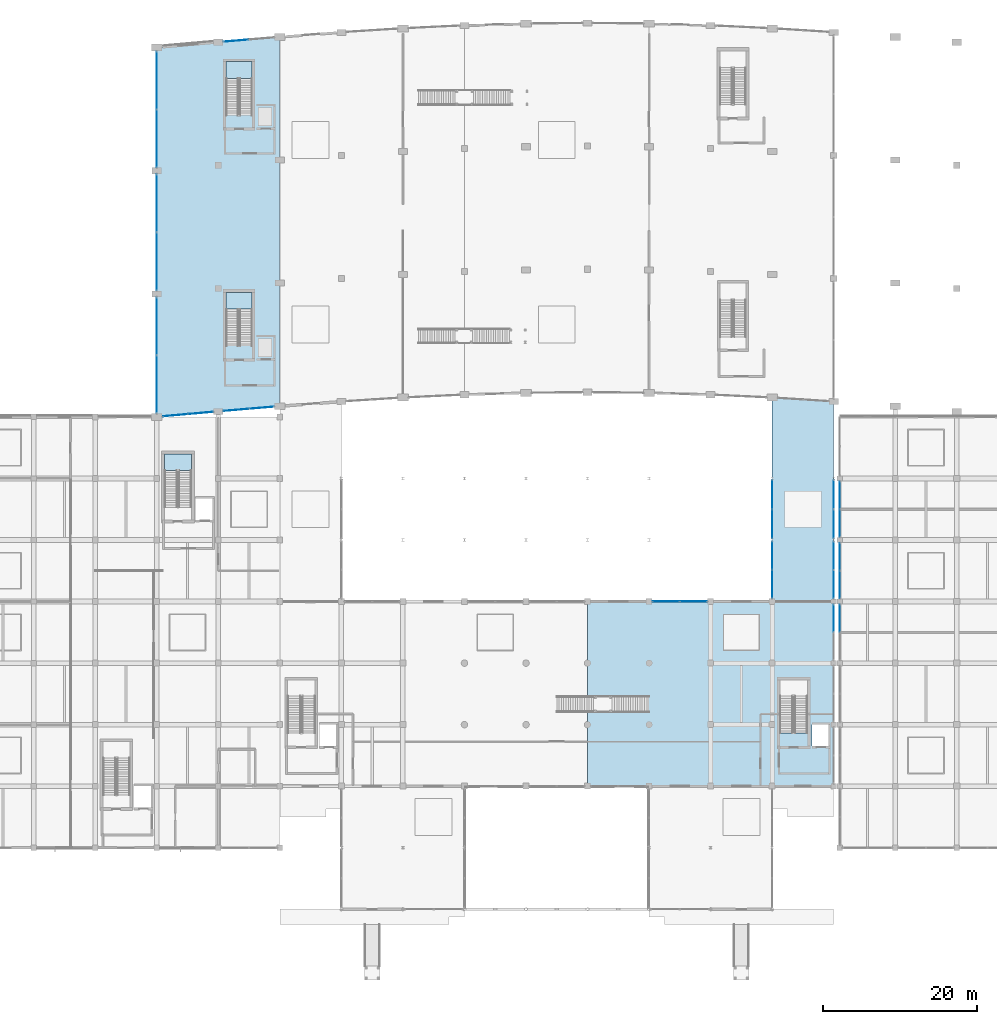
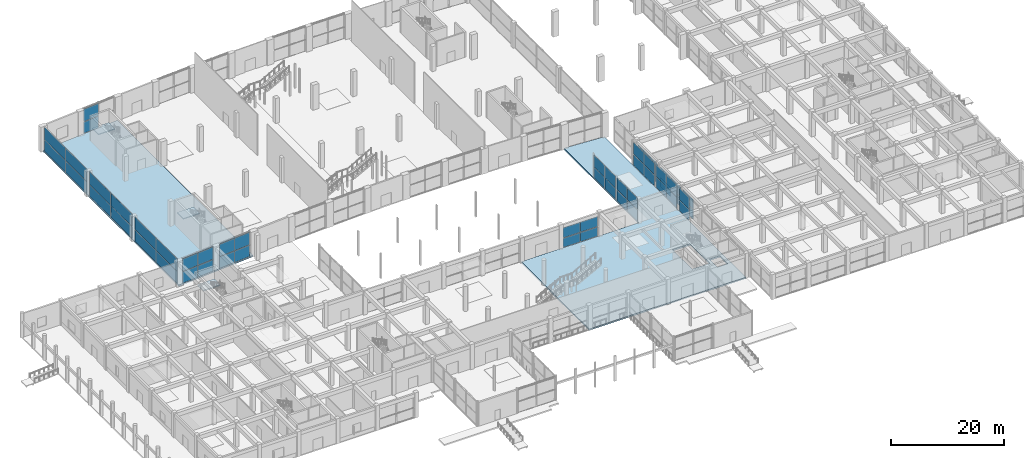
# One storey, part 50 of 86: 54 plates, 5 slabs, 18 elements without a shape of their own.
"""IFC4 building model written with IfcOpenShell, lengths in metres."""

from ifc_helpers import new_model, si_unit, direction, frame, origin, origin_2d, place, context, subcontext, project, spatial, polyline, rectangle, outline, extrude, material, layer, layer_set, type_object, element, aggregate, save


model = new_model("IFC4")

# Units and contexts
model_context = context("Model", 3, precision=1e-05, world=origin(), true_north=direction((0.0, 1.0)))
body_context = subcontext(model_context, "Body", "Model", "MODEL_VIEW")
ifc_project = project(units=[si_unit("LENGTHUNIT", "METRE"), si_unit("AREAUNIT", "SQUARE_METRE"), si_unit("VOLUMEUNIT", "CUBIC_METRE"), si_unit("PLANEANGLEUNIT", "RADIAN"), si_unit("MASSUNIT", "GRAM", prefix="KILO")], contexts=[model_context])

# Site, building, storey
site_placement = place(None, origin())
site = spatial("IfcSite", under=ifc_project, at=site_placement, CompositionType="ELEMENT")
building_placement = place(site_placement, origin())
building = spatial("IfcBuilding", under=site, at=building_placement, Name="Kenh Van Central Station", CompositionType="ELEMENT")
storey_placement = place(building_placement, origin())
storey = spatial("IfcBuildingStorey", under=building, at=storey_placement, Name="L00", CompositionType="ELEMENT", Elevation=0.0)

# Curtain wall, plates
ifc_material_1 = material(Name="Champagne anodised aluminium", Category="aluminium")
curtain_wall_type_1 = type_object("IfcCurtainWallType", Name="CW-CONC-B", PredefinedType="NOTDEFINED", material=ifc_material_1)
curtain_wall_1_placement = place(storey_placement, origin())
curtain_wall_1 = element("IfcCurtainWall", 1, at=curtain_wall_1_placement, inside=storey, type_object=curtain_wall_type_1, Name="L00 curtain wall 025", PredefinedType="NOTDEFINED")
ifc_material_2 = material(Name="Double-glazed low-E laminated solar glass", Category="glass")
ifc_layer_1 = layer(ifc_material_2, 0.028076171875, Name="Double-glazed low-E laminated solar glass")
ifc_layer_set_1 = layer_set([ifc_layer_1], Name="Double-glazed low-E laminated solar glass")
plate_type_1 = type_object("IfcPlateType", Name="CWP-IGU-28", PredefinedType="CURTAIN_PANEL", material=ifc_layer_set_1)
plate_1_placement = place(storey_placement, frame((101.779541015625, 40.0, 0.072021484375), z_axis=(0.0, 0.0, 1.0), x_axis=(-1.0, 0.0, 0.0)))
plate_1 = element("IfcPlate", 2, at=plate_1_placement, type_object=plate_type_1, Name="CW-04 panel 1.1", PredefinedType="CURTAIN_PANEL", context=body_context, shape_type="SweptSolid", body=[
    extrude(rectangle(XDim=3.47705078125, YDim=0.028076171875, at=origin_2d()), origin(), (0.0, 0.0, 1.0), 2.013671875),
])
plate_2_placement = place(storey_placement, frame((101.779541015625, 40.0, 2.157470703125), z_axis=(0.0, 0.0, 1.0), x_axis=(-1.0, 0.0, 0.0)))
plate_2 = element("IfcPlate", 3, at=plate_2_placement, type_object=plate_type_1, Name="CW-04 panel 1.2", PredefinedType="CURTAIN_PANEL", context=body_context, shape_type="SweptSolid", body=[
    extrude(rectangle(XDim=3.47705078125, YDim=0.028076171875, at=origin_2d()), origin(), (0.0, 0.0, 1.0), 2.1904296875),
])
plate_3_placement = place(storey_placement, frame((98.220458984375, 40.0, 0.072021484375), z_axis=(0.0, 0.0, 1.0), x_axis=(-1.0, 0.0, 0.0)))
plate_3 = element("IfcPlate", 4, at=plate_3_placement, type_object=plate_type_1, Name="CW-04 panel 2.1", PredefinedType="CURTAIN_PANEL", context=body_context, shape_type="SweptSolid", body=[
    extrude(rectangle(XDim=3.47705078125, YDim=0.028076171875, at=origin_2d()), origin(), (0.0, 0.0, 1.0), 2.013671875),
])
plate_4_placement = place(storey_placement, frame((98.220458984375, 40.0, 2.157470703125), z_axis=(0.0, 0.0, 1.0), x_axis=(-1.0, 0.0, 0.0)))
plate_4 = element("IfcPlate", 5, at=plate_4_placement, type_object=plate_type_1, Name="CW-04 panel 2.2", PredefinedType="CURTAIN_PANEL", context=body_context, shape_type="SweptSolid", body=[
    extrude(rectangle(XDim=3.47705078125, YDim=0.028076171875, at=origin_2d()), origin(), (0.0, 0.0, 1.0), 2.1904296875),
])
aggregate(curtain_wall_1, [plate_1, plate_2, plate_3, plate_4])

curtain_wall_2_placement = place(storey_placement, origin())
curtain_wall_2 = element("IfcCurtainWall", 6, at=curtain_wall_2_placement, inside=storey, type_object=curtain_wall_type_1, Name="L00 curtain wall 031", PredefinedType="NOTDEFINED")
plate_5_placement = place(storey_placement, frame((112.0, 53.904541015625, 0.07177734375), z_axis=(0.0, 0.0, 1.0), x_axis=(0.0, -1.0, 0.0)))
plate_5 = element("IfcPlate", 7, at=plate_5_placement, type_object=plate_type_1, Name="CW-04 panel 1.1", PredefinedType="CURTAIN_PANEL", context=body_context, shape_type="SweptSolid", body=[
    extrude(rectangle(XDim=3.72705078125, YDim=0.028076171875, at=origin_2d()), origin(), (0.0, 0.0, 1.0), 2.340087890625),
])
plate_6_placement = place(storey_placement, frame((112.0, 53.904541015625, 2.484130859375), z_axis=(0.0, 0.0, 1.0), x_axis=(0.0, -1.0, 0.0)))
plate_6 = element("IfcPlate", 8, at=plate_6_placement, type_object=plate_type_1, Name="CW-04 panel 1.2", PredefinedType="CURTAIN_PANEL", context=body_context, shape_type="SweptSolid", body=[
    extrude(rectangle(XDim=3.72705078125, YDim=0.028076171875, at=origin_2d()), origin(), (0.0, 0.0, 1.0), 2.5439453125),
])
plate_7_placement = place(storey_placement, frame((112.0, 50.095458984375, 0.07177734375), z_axis=(0.0, 0.0, 1.0), x_axis=(0.0, -1.0, 0.0)))
plate_7 = element("IfcPlate", 9, at=plate_7_placement, type_object=plate_type_1, Name="CW-04 panel 2.1", PredefinedType="CURTAIN_PANEL", context=body_context, shape_type="SweptSolid", body=[
    extrude(rectangle(XDim=3.72705078125, YDim=0.028076171875, at=origin_2d()), origin(), (0.0, 0.0, 1.0), 2.340087890625),
])
plate_8_placement = place(storey_placement, frame((112.0, 50.095458984375, 2.484130859375), z_axis=(0.0, 0.0, 1.0), x_axis=(0.0, -1.0, 0.0)))
plate_8 = element("IfcPlate", 10, at=plate_8_placement, type_object=plate_type_1, Name="CW-04 panel 2.2", PredefinedType="CURTAIN_PANEL", context=body_context, shape_type="SweptSolid", body=[
    extrude(rectangle(XDim=3.72705078125, YDim=0.028076171875, at=origin_2d()), origin(), (0.0, 0.0, 1.0), 2.5439453125),
])
aggregate(curtain_wall_2, [plate_5, plate_6, plate_7, plate_8])

curtain_wall_3_placement = place(storey_placement, origin())
curtain_wall_3 = element("IfcCurtainWall", 11, at=curtain_wall_3_placement, inside=storey, type_object=curtain_wall_type_1, Name="L00 curtain wall 032", PredefinedType="NOTDEFINED")
plate_9_placement = place(storey_placement, frame((112.0, 45.967041015625, 0.07177734375), z_axis=(0.0, 0.0, 1.0), x_axis=(0.0, -1.0, 0.0)))
plate_9 = element("IfcPlate", 12, at=plate_9_placement, type_object=plate_type_1, Name="CW-04 panel 1.1", PredefinedType="CURTAIN_PANEL", context=body_context, shape_type="SweptSolid", body=[
    extrude(rectangle(XDim=3.60205078125, YDim=0.028076171875, at=origin_2d()), origin(), (0.0, 0.0, 1.0), 2.340087890625),
])
plate_10_placement = place(storey_placement, frame((112.0, 45.967041015625, 2.484130859375), z_axis=(0.0, 0.0, 1.0), x_axis=(0.0, -1.0, 0.0)))
plate_10 = element("IfcPlate", 13, at=plate_10_placement, type_object=plate_type_1, Name="CW-04 panel 1.2", PredefinedType="CURTAIN_PANEL", context=body_context, shape_type="SweptSolid", body=[
    extrude(rectangle(XDim=3.60205078125, YDim=0.028076171875, at=origin_2d()), origin(), (0.0, 0.0, 1.0), 2.5439453125),
])
plate_11_placement = place(storey_placement, frame((112.0, 42.282958984375, 0.07177734375), z_axis=(0.0, 0.0, 1.0), x_axis=(0.0, -1.0, 0.0)))
plate_11 = element("IfcPlate", 14, at=plate_11_placement, type_object=plate_type_1, Name="CW-04 panel 2.1", PredefinedType="CURTAIN_PANEL", context=body_context, shape_type="SweptSolid", body=[
    extrude(rectangle(XDim=3.60205078125, YDim=0.028076171875, at=origin_2d()), origin(), (0.0, 0.0, 1.0), 2.340087890625),
])
plate_12_placement = place(storey_placement, frame((112.0, 42.282958984375, 2.484130859375), z_axis=(0.0, 0.0, 1.0), x_axis=(0.0, -1.0, 0.0)))
plate_12 = element("IfcPlate", 15, at=plate_12_placement, type_object=plate_type_1, Name="CW-04 panel 2.2", PredefinedType="CURTAIN_PANEL", context=body_context, shape_type="SweptSolid", body=[
    extrude(rectangle(XDim=3.60205078125, YDim=0.028076171875, at=origin_2d()), origin(), (0.0, 0.0, 1.0), 2.5439453125),
])
aggregate(curtain_wall_3, [plate_9, plate_10, plate_11, plate_12])

curtain_wall_4_placement = place(storey_placement, origin())
curtain_wall_4 = element("IfcCurtainWall", 16, at=curtain_wall_4_placement, inside=storey, type_object=curtain_wall_type_1, Name="L00 curtain wall 035", PredefinedType="NOTDEFINED")
plate_13_placement = place(storey_placement, frame((120.0, 37.804443359375, 0.07177734375), z_axis=(0.0, 0.0, 1.0), x_axis=(0.0, 1.0, 0.0)))
plate_13 = element("IfcPlate", 17, at=plate_13_placement, type_object=plate_type_1, Name="CW-04 panel 2.1", PredefinedType="CURTAIN_PANEL", context=body_context, shape_type="SweptSolid", body=[
    extrude(rectangle(XDim=3.527099609375, YDim=0.028076171875, at=origin_2d()), origin(), (0.0, 0.0, 1.0), 2.340087890625),
])
plate_14_placement = place(storey_placement, frame((120.0, 37.804443359375, 2.484130859375), z_axis=(0.0, 0.0, 1.0), x_axis=(0.0, 1.0, 0.0)))
plate_14 = element("IfcPlate", 18, at=plate_14_placement, type_object=plate_type_1, Name="CW-04 panel 2.2", PredefinedType="CURTAIN_PANEL", context=body_context, shape_type="SweptSolid", body=[
    extrude(rectangle(XDim=3.527099609375, YDim=0.028076171875, at=origin_2d()), origin(), (0.0, 0.0, 1.0), 2.5439453125),
])
aggregate(curtain_wall_4, [plate_13, plate_14])

curtain_wall_5_placement = place(storey_placement, origin())
curtain_wall_5 = element("IfcCurtainWall", 19, at=curtain_wall_5_placement, inside=storey, type_object=curtain_wall_type_1, Name="L00 curtain wall 036", PredefinedType="NOTDEFINED")
plate_15_placement = place(storey_placement, frame((120.0, 42.24560546875, 0.07177734375), z_axis=(0.0, 0.0, 1.0), x_axis=(0.0, 1.0, 0.0)))
plate_15 = element("IfcPlate", 20, at=plate_15_placement, type_object=plate_type_1, Name="CW-04 panel 1.1", PredefinedType="CURTAIN_PANEL", context=body_context, shape_type="SweptSolid", body=[
    extrude(rectangle(XDim=3.626953125, YDim=0.028076171875, at=origin_2d()), origin(), (0.0, 0.0, 1.0), 2.340087890625),
])
plate_16_placement = place(storey_placement, frame((120.0, 42.24560546875, 2.484130859375), z_axis=(0.0, 0.0, 1.0), x_axis=(0.0, 1.0, 0.0)))
plate_16 = element("IfcPlate", 21, at=plate_16_placement, type_object=plate_type_1, Name="CW-04 panel 1.2", PredefinedType="CURTAIN_PANEL", context=body_context, shape_type="SweptSolid", body=[
    extrude(rectangle(XDim=3.626953125, YDim=0.028076171875, at=origin_2d()), origin(), (0.0, 0.0, 1.0), 2.5439453125),
])
plate_17_placement = place(storey_placement, frame((120.0, 45.95458984375, 0.07177734375), z_axis=(0.0, 0.0, 1.0), x_axis=(0.0, 1.0, 0.0)))
plate_17 = element("IfcPlate", 22, at=plate_17_placement, type_object=plate_type_1, Name="CW-04 panel 2.1", PredefinedType="CURTAIN_PANEL", context=body_context, shape_type="SweptSolid", body=[
    extrude(rectangle(XDim=3.626953125, YDim=0.028076171875, at=origin_2d()), origin(), (0.0, 0.0, 1.0), 2.340087890625),
])
plate_18_placement = place(storey_placement, frame((120.0, 45.95458984375, 2.484130859375), z_axis=(0.0, 0.0, 1.0), x_axis=(0.0, 1.0, 0.0)))
plate_18 = element("IfcPlate", 23, at=plate_18_placement, type_object=plate_type_1, Name="CW-04 panel 2.2", PredefinedType="CURTAIN_PANEL", context=body_context, shape_type="SweptSolid", body=[
    extrude(rectangle(XDim=3.626953125, YDim=0.028076171875, at=origin_2d()), origin(), (0.0, 0.0, 1.0), 2.5439453125),
])
aggregate(curtain_wall_5, [plate_15, plate_16, plate_17, plate_18])

curtain_wall_6_placement = place(storey_placement, origin())
curtain_wall_6 = element("IfcCurtainWall", 24, at=curtain_wall_6_placement, inside=storey, type_object=curtain_wall_type_1, Name="L00 curtain wall 037", PredefinedType="NOTDEFINED")
plate_19_placement = place(storey_placement, frame((120.0, 50.095458984375, 0.07177734375), z_axis=(0.0, 0.0, 1.0), x_axis=(0.0, 1.0, 0.0)))
plate_19 = element("IfcPlate", 25, at=plate_19_placement, type_object=plate_type_1, Name="CW-04 panel 1.1", PredefinedType="CURTAIN_PANEL", context=body_context, shape_type="SweptSolid", body=[
    extrude(rectangle(XDim=3.72705078125, YDim=0.028076171875, at=origin_2d()), origin(), (0.0, 0.0, 1.0), 2.340087890625),
])
plate_20_placement = place(storey_placement, frame((120.0, 50.095458984375, 2.484130859375), z_axis=(0.0, 0.0, 1.0), x_axis=(0.0, 1.0, 0.0)))
plate_20 = element("IfcPlate", 26, at=plate_20_placement, type_object=plate_type_1, Name="CW-04 panel 1.2", PredefinedType="CURTAIN_PANEL", context=body_context, shape_type="SweptSolid", body=[
    extrude(rectangle(XDim=3.72705078125, YDim=0.028076171875, at=origin_2d()), origin(), (0.0, 0.0, 1.0), 2.5439453125),
])
plate_21_placement = place(storey_placement, frame((120.0, 53.904541015625, 0.07177734375), z_axis=(0.0, 0.0, 1.0), x_axis=(0.0, 1.0, 0.0)))
plate_21 = element("IfcPlate", 27, at=plate_21_placement, type_object=plate_type_1, Name="CW-04 panel 2.1", PredefinedType="CURTAIN_PANEL", context=body_context, shape_type="SweptSolid", body=[
    extrude(rectangle(XDim=3.72705078125, YDim=0.028076171875, at=origin_2d()), origin(), (0.0, 0.0, 1.0), 2.340087890625),
])
plate_22_placement = place(storey_placement, frame((120.0, 53.904541015625, 2.484130859375), z_axis=(0.0, 0.0, 1.0), x_axis=(0.0, 1.0, 0.0)))
plate_22 = element("IfcPlate", 28, at=plate_22_placement, type_object=plate_type_1, Name="CW-04 panel 2.2", PredefinedType="CURTAIN_PANEL", context=body_context, shape_type="SweptSolid", body=[
    extrude(rectangle(XDim=3.72705078125, YDim=0.028076171875, at=origin_2d()), origin(), (0.0, 0.0, 1.0), 2.5439453125),
])
aggregate(curtain_wall_6, [plate_19, plate_20, plate_21, plate_22])

curtain_wall_type_2 = type_object("IfcCurtainWallType", Name="CW-OPER-B", PredefinedType="NOTDEFINED", material=ifc_material_1)
curtain_wall_7_placement = place(storey_placement, origin())
curtain_wall_7 = element("IfcCurtainWall", 29, at=curtain_wall_7_placement, inside=storey, type_object=curtain_wall_type_2, Name="L00 curtain wall 070", PredefinedType="NOTDEFINED")
ifc_layer_2 = layer(ifc_material_2, 0.030029296875, Name="Double-glazed low-E laminated solar glass")
ifc_layer_set_2 = layer_set([ifc_layer_2], Name="Double-glazed low-E laminated solar glass")
plate_type_2 = type_object("IfcPlateType", Name="CWP-IGU-30", PredefinedType="CURTAIN_PANEL", material=ifc_layer_set_2)
plate_23_placement = place(storey_placement, frame((120.800048828125, 53.802978515625, 0.072021484375), z_axis=(0.0, 0.0, 1.0), x_axis=(0.0, -1.0, 0.0)))
plate_23 = element("IfcPlate", 30, at=plate_23_placement, type_object=plate_type_2, Name="CW-08 panel 1.1", PredefinedType="CURTAIN_PANEL", context=body_context, shape_type="SweptSolid", body=[
    extrude(rectangle(XDim=3.51806640625, YDim=0.030029296875, at=origin_2d()), origin(), (0.0, 0.0, 1.0), 2.013671875),
])
plate_24_placement = place(storey_placement, frame((120.800048828125, 53.802978515625, 2.157470703125), z_axis=(0.0, 0.0, 1.0), x_axis=(0.0, -1.0, 0.0)))
plate_24 = element("IfcPlate", 31, at=plate_24_placement, type_object=plate_type_2, Name="CW-08 panel 1.2", PredefinedType="CURTAIN_PANEL", context=body_context, shape_type="SweptSolid", body=[
    extrude(rectangle(XDim=3.51806640625, YDim=0.030029296875, at=origin_2d()), origin(), (0.0, 0.0, 1.0), 2.1904296875),
])
plate_25_placement = place(storey_placement, frame((120.800048828125, 50.197021484375, 0.072021484375), z_axis=(0.0, 0.0, 1.0), x_axis=(0.0, -1.0, 0.0)))
plate_25 = element("IfcPlate", 32, at=plate_25_placement, type_object=plate_type_2, Name="CW-08 panel 2.1", PredefinedType="CURTAIN_PANEL", context=body_context, shape_type="SweptSolid", body=[
    extrude(rectangle(XDim=3.51806640625, YDim=0.030029296875, at=origin_2d()), origin(), (0.0, 0.0, 1.0), 2.013671875),
])
plate_26_placement = place(storey_placement, frame((120.800048828125, 50.197021484375, 2.157470703125), z_axis=(0.0, 0.0, 1.0), x_axis=(0.0, -1.0, 0.0)))
plate_26 = element("IfcPlate", 33, at=plate_26_placement, type_object=plate_type_2, Name="CW-08 panel 2.2", PredefinedType="CURTAIN_PANEL", context=body_context, shape_type="SweptSolid", body=[
    extrude(rectangle(XDim=3.51806640625, YDim=0.030029296875, at=origin_2d()), origin(), (0.0, 0.0, 1.0), 2.1904296875),
])
aggregate(curtain_wall_7, [plate_23, plate_24, plate_25, plate_26])

curtain_wall_8_placement = place(storey_placement, origin())
curtain_wall_8 = element("IfcCurtainWall", 34, at=curtain_wall_8_placement, inside=storey, type_object=curtain_wall_type_2, Name="L00 curtain wall 071", PredefinedType="NOTDEFINED")
plate_27_placement = place(storey_placement, frame((120.800048828125, 45.802978515625, 0.072021484375), z_axis=(0.0, 0.0, 1.0), x_axis=(0.0, -1.0, 0.0)))
plate_27 = element("IfcPlate", 35, at=plate_27_placement, type_object=plate_type_2, Name="CW-08 panel 1.1", PredefinedType="CURTAIN_PANEL", context=body_context, shape_type="SweptSolid", body=[
    extrude(rectangle(XDim=3.51806640625, YDim=0.030029296875, at=origin_2d()), origin(), (0.0, 0.0, 1.0), 2.013671875),
])
plate_28_placement = place(storey_placement, frame((120.800048828125, 45.802978515625, 2.157470703125), z_axis=(0.0, 0.0, 1.0), x_axis=(0.0, -1.0, 0.0)))
plate_28 = element("IfcPlate", 36, at=plate_28_placement, type_object=plate_type_2, Name="CW-08 panel 1.2", PredefinedType="CURTAIN_PANEL", context=body_context, shape_type="SweptSolid", body=[
    extrude(rectangle(XDim=3.51806640625, YDim=0.030029296875, at=origin_2d()), origin(), (0.0, 0.0, 1.0), 2.1904296875),
])
plate_29_placement = place(storey_placement, frame((120.800048828125, 42.197021484375, 0.072021484375), z_axis=(0.0, 0.0, 1.0), x_axis=(0.0, -1.0, 0.0)))
plate_29 = element("IfcPlate", 37, at=plate_29_placement, type_object=plate_type_2, Name="CW-08 panel 2.1", PredefinedType="CURTAIN_PANEL", context=body_context, shape_type="SweptSolid", body=[
    extrude(rectangle(XDim=3.51806640625, YDim=0.030029296875, at=origin_2d()), origin(), (0.0, 0.0, 1.0), 2.013671875),
])
plate_30_placement = place(storey_placement, frame((120.800048828125, 42.197021484375, 2.157470703125), z_axis=(0.0, 0.0, 1.0), x_axis=(0.0, -1.0, 0.0)))
plate_30 = element("IfcPlate", 38, at=plate_30_placement, type_object=plate_type_2, Name="CW-08 panel 2.2", PredefinedType="CURTAIN_PANEL", context=body_context, shape_type="SweptSolid", body=[
    extrude(rectangle(XDim=3.51806640625, YDim=0.030029296875, at=origin_2d()), origin(), (0.0, 0.0, 1.0), 2.1904296875),
])
aggregate(curtain_wall_8, [plate_27, plate_28, plate_29, plate_30])

curtain_wall_9_placement = place(storey_placement, origin())
curtain_wall_9 = element("IfcCurtainWall", 39, at=curtain_wall_9_placement, inside=storey, type_object=curtain_wall_type_2, Name="L00 curtain wall 072", PredefinedType="NOTDEFINED")
plate_31_placement = place(storey_placement, frame((120.800048828125, 37.802978515625, 0.072021484375), z_axis=(0.0, 0.0, 1.0), x_axis=(0.0, -1.0, 0.0)))
plate_31 = element("IfcPlate", 40, at=plate_31_placement, type_object=plate_type_2, Name="CW-08 panel 1.1", PredefinedType="CURTAIN_PANEL", context=body_context, shape_type="SweptSolid", body=[
    extrude(rectangle(XDim=3.51806640625, YDim=0.030029296875, at=origin_2d()), origin(), (0.0, 0.0, 1.0), 2.013671875),
])
plate_32_placement = place(storey_placement, frame((120.800048828125, 37.802978515625, 2.157470703125), z_axis=(0.0, 0.0, 1.0), x_axis=(0.0, -1.0, 0.0)))
plate_32 = element("IfcPlate", 41, at=plate_32_placement, type_object=plate_type_2, Name="CW-08 panel 1.2", PredefinedType="CURTAIN_PANEL", context=body_context, shape_type="SweptSolid", body=[
    extrude(rectangle(XDim=3.51806640625, YDim=0.030029296875, at=origin_2d()), origin(), (0.0, 0.0, 1.0), 2.1904296875),
])
aggregate(curtain_wall_9, [plate_31, plate_32])

curtain_wall_type_3 = type_object("IfcCurtainWallType", Name="CW-HALL-A", PredefinedType="NOTDEFINED", material=ifc_material_1)
curtain_wall_10_placement = place(storey_placement, origin())
curtain_wall_10 = element("IfcCurtainWall", 42, at=curtain_wall_10_placement, inside=storey, type_object=curtain_wall_type_3, Name="L00 curtain wall 016", PredefinedType="NOTDEFINED")
ifc_layer_3 = layer(ifc_material_2, 0.031982421875, Name="Double-glazed low-E laminated solar glass")
ifc_layer_set_3 = layer_set([ifc_layer_3], Name="Double-glazed low-E laminated solar glass")
plate_type_3 = type_object("IfcPlateType", Name="CWP-IGU-32", PredefinedType="CURTAIN_PANEL", material=ifc_layer_set_3)
plate_33_placement = place(storey_placement, frame((32.0, 68.258056640625, 0.06982421875), z_axis=(0.0, 0.0, 1.0), x_axis=(0.0, 1.0, 0.0)))
plate_33 = element("IfcPlate", 43, at=plate_33_placement, type_object=plate_type_3, Name="CW-01 panel 1.1", PredefinedType="CURTAIN_PANEL", context=body_context, shape_type="SweptSolid", body=[
    extrude(rectangle(XDim=7.451904296875, YDim=0.031982421875, at=origin_2d()), origin(), (0.0, 0.0, 1.0), 2.487060546875),
])
plate_34_placement = place(storey_placement, frame((32.0, 68.258056640625, 2.626953125), z_axis=(0.0, 0.0, 1.0), x_axis=(0.0, 1.0, 0.0)))
plate_34 = element("IfcPlate", 44, at=plate_34_placement, type_object=plate_type_3, Name="CW-01 panel 1.2", PredefinedType="CURTAIN_PANEL", context=body_context, shape_type="SweptSolid", body=[
    extrude(rectangle(XDim=7.451904296875, YDim=0.031982421875, at=origin_2d()), origin(), (0.0, 0.0, 1.0), 2.702880859375),
])
plate_35_placement = place(storey_placement, frame((32.0, 75.7919921875, 0.06982421875), z_axis=(0.0, 0.0, 1.0), x_axis=(0.0, 1.0, 0.0)))
plate_35 = element("IfcPlate", 45, at=plate_35_placement, type_object=plate_type_3, Name="CW-01 panel 2.1", PredefinedType="CURTAIN_PANEL", context=body_context, shape_type="SweptSolid", body=[
    extrude(rectangle(XDim=7.451904296875, YDim=0.031982421875, at=origin_2d()), origin(), (0.0, 0.0, 1.0), 2.487060546875),
])
plate_36_placement = place(storey_placement, frame((32.0, 75.7919921875, 2.626953125), z_axis=(0.0, 0.0, 1.0), x_axis=(0.0, 1.0, 0.0)))
plate_36 = element("IfcPlate", 46, at=plate_36_placement, type_object=plate_type_3, Name="CW-01 panel 2.2", PredefinedType="CURTAIN_PANEL", context=body_context, shape_type="SweptSolid", body=[
    extrude(rectangle(XDim=7.451904296875, YDim=0.031982421875, at=origin_2d()), origin(), (0.0, 0.0, 1.0), 2.702880859375),
])
aggregate(curtain_wall_10, [plate_33, plate_34, plate_35, plate_36])

curtain_wall_11_placement = place(storey_placement, origin())
curtain_wall_11 = element("IfcCurtainWall", 47, at=curtain_wall_11_placement, inside=storey, type_object=curtain_wall_type_3, Name="L00 curtain wall 017", PredefinedType="NOTDEFINED")
plate_37_placement = place(storey_placement, frame((32.0, 84.220458984375, 0.06982421875), z_axis=(0.0, 0.0, 1.0), x_axis=(0.0, 1.0, 0.0)))
plate_37 = element("IfcPlate", 48, at=plate_37_placement, type_object=plate_type_3, Name="CW-01 panel 1.1", PredefinedType="CURTAIN_PANEL", context=body_context, shape_type="SweptSolid", body=[
    extrude(rectangle(XDim=7.47705078125, YDim=0.031982421875, at=origin_2d()), origin(), (0.0, 0.0, 1.0), 2.487060546875),
])
plate_38_placement = place(storey_placement, frame((32.0, 84.220458984375, 2.626953125), z_axis=(0.0, 0.0, 1.0), x_axis=(0.0, 1.0, 0.0)))
plate_38 = element("IfcPlate", 49, at=plate_38_placement, type_object=plate_type_3, Name="CW-01 panel 1.2", PredefinedType="CURTAIN_PANEL", context=body_context, shape_type="SweptSolid", body=[
    extrude(rectangle(XDim=7.47705078125, YDim=0.031982421875, at=origin_2d()), origin(), (0.0, 0.0, 1.0), 2.702880859375),
])
plate_39_placement = place(storey_placement, frame((32.0, 91.779541015625, 0.06982421875), z_axis=(0.0, 0.0, 1.0), x_axis=(0.0, 1.0, 0.0)))
plate_39 = element("IfcPlate", 50, at=plate_39_placement, type_object=plate_type_3, Name="CW-01 panel 2.1", PredefinedType="CURTAIN_PANEL", context=body_context, shape_type="SweptSolid", body=[
    extrude(rectangle(XDim=7.47705078125, YDim=0.031982421875, at=origin_2d()), origin(), (0.0, 0.0, 1.0), 2.487060546875),
])
plate_40_placement = place(storey_placement, frame((32.0, 91.779541015625, 2.626953125), z_axis=(0.0, 0.0, 1.0), x_axis=(0.0, 1.0, 0.0)))
plate_40 = element("IfcPlate", 51, at=plate_40_placement, type_object=plate_type_3, Name="CW-01 panel 2.2", PredefinedType="CURTAIN_PANEL", context=body_context, shape_type="SweptSolid", body=[
    extrude(rectangle(XDim=7.47705078125, YDim=0.031982421875, at=origin_2d()), origin(), (0.0, 0.0, 1.0), 2.702880859375),
])
aggregate(curtain_wall_11, [plate_37, plate_38, plate_39, plate_40])

curtain_wall_12_placement = place(storey_placement, origin())
curtain_wall_12 = element("IfcCurtainWall", 52, at=curtain_wall_12_placement, inside=storey, type_object=curtain_wall_type_3, Name="L00 curtain wall 018", PredefinedType="NOTDEFINED")
plate_41_placement = place(storey_placement, frame((32.0, 100.2080078125, 0.06982421875), z_axis=(0.0, 0.0, 1.0), x_axis=(0.0, 1.0, 0.0)))
plate_41 = element("IfcPlate", 53, at=plate_41_placement, type_object=plate_type_3, Name="CW-01 panel 1.1", PredefinedType="CURTAIN_PANEL", context=body_context, shape_type="SweptSolid", body=[
    extrude(rectangle(XDim=7.451904296875, YDim=0.031982421875, at=origin_2d()), origin(), (0.0, 0.0, 1.0), 2.487060546875),
])
plate_42_placement = place(storey_placement, frame((32.0, 100.2080078125, 2.626953125), z_axis=(0.0, 0.0, 1.0), x_axis=(0.0, 1.0, 0.0)))
plate_42 = element("IfcPlate", 54, at=plate_42_placement, type_object=plate_type_3, Name="CW-01 panel 1.2", PredefinedType="CURTAIN_PANEL", context=body_context, shape_type="SweptSolid", body=[
    extrude(rectangle(XDim=7.451904296875, YDim=0.031982421875, at=origin_2d()), origin(), (0.0, 0.0, 1.0), 2.702880859375),
])
plate_43_placement = place(storey_placement, frame((32.0, 107.741943359375, 0.06982421875), z_axis=(0.0, 0.0, 1.0), x_axis=(0.0, 1.0, 0.0)))
plate_43 = element("IfcPlate", 55, at=plate_43_placement, type_object=plate_type_3, Name="CW-01 panel 2.1", PredefinedType="CURTAIN_PANEL", context=body_context, shape_type="SweptSolid", body=[
    extrude(rectangle(XDim=7.451904296875, YDim=0.031982421875, at=origin_2d()), origin(), (0.0, 0.0, 1.0), 2.487060546875),
])
plate_44_placement = place(storey_placement, frame((32.0, 107.741943359375, 2.626953125), z_axis=(0.0, 0.0, 1.0), x_axis=(0.0, 1.0, 0.0)))
plate_44 = element("IfcPlate", 56, at=plate_44_placement, type_object=plate_type_3, Name="CW-01 panel 2.2", PredefinedType="CURTAIN_PANEL", context=body_context, shape_type="SweptSolid", body=[
    extrude(rectangle(XDim=7.451904296875, YDim=0.031982421875, at=origin_2d()), origin(), (0.0, 0.0, 1.0), 2.702880859375),
])
aggregate(curtain_wall_12, [plate_41, plate_42, plate_43, plate_44])

curtain_wall_type_4 = type_object("IfcCurtainWallType", Name="CW-HALL-B", PredefinedType="NOTDEFINED", material=ifc_material_1)
curtain_wall_13_placement = place(storey_placement, origin())
curtain_wall_13 = element("IfcCurtainWall", 57, at=curtain_wall_13_placement, inside=storey, type_object=curtain_wall_type_4, Name="L00 curtain wall 003", PredefinedType="NOTDEFINED")
ifc_layer_4 = layer(ifc_material_2, 0.033935546875, Name="Double-glazed low-E laminated solar glass")
ifc_layer_set_4 = layer_set([ifc_layer_4], Name="Double-glazed low-E laminated solar glass")
plate_type_4 = type_object("IfcPlateType", Name="CWP-IGU-34", PredefinedType="CURTAIN_PANEL", material=ifc_layer_set_4)
plate_45_placement = place(storey_placement, frame((42.30859375, 112.9072265625, 0.06982421875), z_axis=(0.0, 0.0, 1.0), x_axis=(-0.996445133341, -0.084244265333, 0.0)))
plate_45 = element("IfcPlate", 58, at=plate_45_placement, type_object=plate_type_4, Name="CW-02 panel 2.1", PredefinedType="CURTAIN_PANEL", context=body_context, shape_type="SweptSolid", body=[
    extrude(rectangle(XDim=3.210693359375, YDim=0.033935546875, at=origin_2d()), origin(), (0.0, 0.0, 1.0), 2.487060546875),
])
plate_46_placement = place(storey_placement, frame((42.30859375, 112.9072265625, 2.626953125), z_axis=(0.0, 0.0, 1.0), x_axis=(-0.996445133341, -0.084244265333, 0.0)))
plate_46 = element("IfcPlate", 59, at=plate_46_placement, type_object=plate_type_4, Name="CW-02 panel 2.2", PredefinedType="CURTAIN_PANEL", context=body_context, shape_type="SweptSolid", body=[
    extrude(rectangle(XDim=3.210693359375, YDim=0.033935546875, at=origin_2d()), origin(), (0.0, 0.0, 1.0), 2.702880859375),
])
aggregate(curtain_wall_13, [plate_45, plate_46])

curtain_wall_14_placement = place(storey_placement, origin())
curtain_wall_14 = element("IfcCurtainWall", 60, at=curtain_wall_14_placement, inside=storey, type_object=curtain_wall_type_3, Name="L00 curtain wall 001", PredefinedType="NOTDEFINED")
ifc_layer_5 = layer(ifc_material_2, 0.035888671875, Name="Double-glazed low-E laminated solar glass")
ifc_layer_set_5 = layer_set([ifc_layer_5], Name="Double-glazed low-E laminated solar glass")
plate_type_5 = type_object("IfcPlateType", Name="CWP-IGU-36", PredefinedType="CURTAIN_PANEL", material=ifc_layer_set_5)
plate_47_placement = place(storey_placement, frame((34.412841796875, 64.21484375, 0.06982421875), z_axis=(0.0, 0.0, 1.0), x_axis=(0.996061983283, 0.088659604434, 0.0)))
plate_47 = element("IfcPlate", 61, at=plate_47_placement, type_object=plate_type_5, Name="CW-01 panel 1.1", PredefinedType="CURTAIN_PANEL", context=body_context, shape_type="SweptSolid", body=[
    extrude(rectangle(XDim=3.210693359375, YDim=0.035888671875, at=origin_2d()), origin(), (0.0, 0.0, 1.0), 2.487060546875),
])
plate_48_placement = place(storey_placement, frame((34.412841796875, 64.21484375, 2.626953125), z_axis=(0.0, 0.0, 1.0), x_axis=(0.996061983283, 0.088659604434, 0.0)))
plate_48 = element("IfcPlate", 62, at=plate_48_placement, type_object=plate_type_5, Name="CW-01 panel 1.2", PredefinedType="CURTAIN_PANEL", context=body_context, shape_type="SweptSolid", body=[
    extrude(rectangle(XDim=3.210693359375, YDim=0.035888671875, at=origin_2d()), origin(), (0.0, 0.0, 1.0), 2.702880859375),
])
plate_49_placement = place(storey_placement, frame((37.690673828125, 64.506591796875, 0.06982421875), z_axis=(0.0, 0.0, 1.0), x_axis=(0.996061983283, 0.088659604434, 0.0)))
plate_49 = element("IfcPlate", 63, at=plate_49_placement, type_object=plate_type_5, Name="CW-01 panel 2.1", PredefinedType="CURTAIN_PANEL", context=body_context, shape_type="SweptSolid", body=[
    extrude(rectangle(XDim=3.210693359375, YDim=0.035888671875, at=origin_2d()), origin(), (0.0, 0.0, 1.0), 2.487060546875),
])
plate_50_placement = place(storey_placement, frame((37.690673828125, 64.506591796875, 2.626953125), z_axis=(0.0, 0.0, 1.0), x_axis=(0.996061983283, 0.088659604434, 0.0)))
plate_50 = element("IfcPlate", 64, at=plate_50_placement, type_object=plate_type_5, Name="CW-01 panel 2.2", PredefinedType="CURTAIN_PANEL", context=body_context, shape_type="SweptSolid", body=[
    extrude(rectangle(XDim=3.210693359375, YDim=0.035888671875, at=origin_2d()), origin(), (0.0, 0.0, 1.0), 2.702880859375),
])
aggregate(curtain_wall_14, [plate_47, plate_48, plate_49, plate_50])

curtain_wall_15_placement = place(storey_placement, origin())
curtain_wall_15 = element("IfcCurtainWall", 65, at=curtain_wall_15_placement, inside=storey, type_object=curtain_wall_type_3, Name="L00 curtain wall 002", PredefinedType="NOTDEFINED")
plate_51_placement = place(storey_placement, frame((42.30859375, 64.9072265625, 0.06982421875), z_axis=(0.0, 0.0, 1.0), x_axis=(0.996445133341, 0.084244265333, 0.0)))
plate_51 = element("IfcPlate", 66, at=plate_51_placement, type_object=plate_type_5, Name="CW-01 panel 1.1", PredefinedType="CURTAIN_PANEL", context=body_context, shape_type="SweptSolid", body=[
    extrude(rectangle(XDim=3.210693359375, YDim=0.035888671875, at=origin_2d()), origin(), (0.0, 0.0, 1.0), 2.487060546875),
])
plate_52_placement = place(storey_placement, frame((42.30859375, 64.9072265625, 2.626953125), z_axis=(0.0, 0.0, 1.0), x_axis=(0.996445133341, 0.084244265333, 0.0)))
plate_52 = element("IfcPlate", 67, at=plate_52_placement, type_object=plate_type_5, Name="CW-01 panel 1.2", PredefinedType="CURTAIN_PANEL", context=body_context, shape_type="SweptSolid", body=[
    extrude(rectangle(XDim=3.210693359375, YDim=0.035888671875, at=origin_2d()), origin(), (0.0, 0.0, 1.0), 2.702880859375),
])
plate_53_placement = place(storey_placement, frame((45.587890625, 65.1845703125, 0.06982421875), z_axis=(0.0, 0.0, 1.0), x_axis=(0.996445133341, 0.084244265333, 0.0)))
plate_53 = element("IfcPlate", 68, at=plate_53_placement, type_object=plate_type_5, Name="CW-01 panel 2.1", PredefinedType="CURTAIN_PANEL", context=body_context, shape_type="SweptSolid", body=[
    extrude(rectangle(XDim=3.210693359375, YDim=0.035888671875, at=origin_2d()), origin(), (0.0, 0.0, 1.0), 2.487060546875),
])
plate_54_placement = place(storey_placement, frame((45.587890625, 65.1845703125, 2.626953125), z_axis=(0.0, 0.0, 1.0), x_axis=(0.996445133341, 0.084244265333, 0.0)))
plate_54 = element("IfcPlate", 69, at=plate_54_placement, type_object=plate_type_5, Name="CW-01 panel 2.2", PredefinedType="CURTAIN_PANEL", context=body_context, shape_type="SweptSolid", body=[
    extrude(rectangle(XDim=3.210693359375, YDim=0.035888671875, at=origin_2d()), origin(), (0.0, 0.0, 1.0), 2.702880859375),
])
aggregate(curtain_wall_15, [plate_51, plate_52, plate_53, plate_54])

# Slabs
ifc_material_3 = material(Name="Concrete C35/45", Category="concrete")
ifc_layer_6 = layer(ifc_material_3, 0.300048828125, Name="Concrete C35/45")
ifc_layer_set_6 = layer_set([ifc_layer_6], Name="Concrete C35/45")
slab_type_1 = type_object("IfcSlabType", Name="SLB-FLR-300", PredefinedType="FLOOR", material=ifc_layer_set_6)
slab_1_placement = place(storey_placement, frame((0.0, 0.0, -0.300048828125)))
element("IfcSlab", 70, at=slab_1_placement, inside=storey, type_object=slab_type_1, Name="L00 slab SLB-L00-VD1", PredefinedType="FLOOR", context=body_context, shape_type="SweptSolid", body=[
    extrude(outline(polyline([(32.0, 64.0), (39.981201171875, 64.71044921875), (47.96240234375, 65.385498046875), (47.96240234375, 113.385498046875), (39.981201171875, 112.71044921875), (32.0, 112.0), (32.0, 64.0)])), origin(), (0.0, 0.0, 1.0), 0.300048828125),
])
slab_2_placement = place(storey_placement, frame((0.0, 0.0, -0.300048828125)))
element("IfcSlab", 71, at=slab_2_placement, inside=storey, type_object=slab_type_1, Name="L00 slab SLB-L00-CE", PredefinedType="FLOOR", context=body_context, shape_type="SweptSolid", body=[
    extrude(outline(polyline([(88.0, 16.0), (119.96240234375, 16.0), (119.96240234375, 65.9951171875), (112.0, 66.501953125), (112.0, 40.0), (88.0, 40.0), (88.0, 16.0)]), holes=[polyline([(119.300048828125, 21.199951171875), (117.14990234375, 21.199951171875), (117.14990234375, 24.0), (119.300048828125, 24.0), (119.300048828125, 21.199951171875)]), polyline([(116.60009765625, 22.9150390625), (113.0, 22.9150390625), (113.0, 29.800048828125), (116.60009765625, 29.800048828125), (116.60009765625, 22.9150390625)])]), origin(), (0.0, 0.0, 1.0), 0.300048828125),
])

# Stair, slab
stair_type_1 = type_object("IfcStairType", Name="STR-DLG-1650", PredefinedType="HALF_TURN_STAIR", material=ifc_material_3)
stair_1_placement = place(storey_placement, origin())
stair_1 = element("IfcStair", 72, at=stair_1_placement, inside=storey, type_object=stair_type_1, Name="L00 West Retail North Exit Core", PredefinedType="HALF_TURN_STAIR")
ifc_layer_7 = layer(ifc_material_3, 0.199951171875, Name="Concrete C35/45")
ifc_layer_set_7 = layer_set([ifc_layer_7], Name="Concrete C35/45")
slab_type_2 = type_object("IfcSlabType", Name="SLB-LAND-200", PredefinedType="LANDING", material=ifc_layer_set_7)
slab_3_placement = place(storey_placement, frame((0.0, 0.0, 2.5)))
slab_3 = element("IfcSlab", 73, at=slab_3_placement, type_object=slab_type_2, Name="ST-02 landing 1", PredefinedType="LANDING", context=body_context, shape_type="SweptSolid", body=[
    extrude(outline(polyline([(36.5, 57.050048828125), (36.5, 59.199951171875), (33.0, 59.199951171875), (33.0, 57.050048828125), (36.5, 57.050048828125)])), origin(), (0.0, 0.0, 1.0), 0.199951171875),
])
aggregate(stair_1, [slab_3])

stair_type_2 = type_object("IfcStairType", Name="STR-DLG-1600", PredefinedType="HALF_TURN_STAIR", material=ifc_material_3)
stair_2_placement = place(storey_placement, origin())
stair_2 = element("IfcStair", 74, at=stair_2_placement, inside=storey, type_object=stair_type_2, Name="L00 Island Platform 1 West Evacuation Core", PredefinedType="HALF_TURN_STAIR")
slab_4_placement = place(storey_placement, frame((0.0, 0.0, 2.5)))
slab_4 = element("IfcSlab", 75, at=slab_4_placement, type_object=slab_type_2, Name="ST-05 landing 1", PredefinedType="LANDING", context=body_context, shape_type="SweptSolid", body=[
    extrude(outline(polyline([(44.39990234375, 78.0), (44.39990234375, 80.199951171875), (41.0, 80.199951171875), (41.0, 78.0), (44.39990234375, 78.0)])), origin(), (0.0, 0.0, 1.0), 0.199951171875),
])
aggregate(stair_2, [slab_4])

stair_3_placement = place(storey_placement, origin())
stair_3 = element("IfcStair", 76, at=stair_3_placement, inside=storey, type_object=stair_type_2, Name="L00 Island Platform 2 West Evacuation Core", PredefinedType="HALF_TURN_STAIR")
slab_5_placement = place(storey_placement, frame((0.0, 0.0, 2.5)))
slab_5 = element("IfcSlab", 77, at=slab_5_placement, type_object=slab_type_2, Name="ST-07 landing 1", PredefinedType="LANDING", context=body_context, shape_type="SweptSolid", body=[
    extrude(outline(polyline([(44.39990234375, 108.0), (44.39990234375, 110.199951171875), (41.0, 110.199951171875), (41.0, 108.0), (44.39990234375, 108.0)])), origin(), (0.0, 0.0, 1.0), 0.199951171875),
])
aggregate(stair_3, [slab_5])

save(model, "model.ifc")
